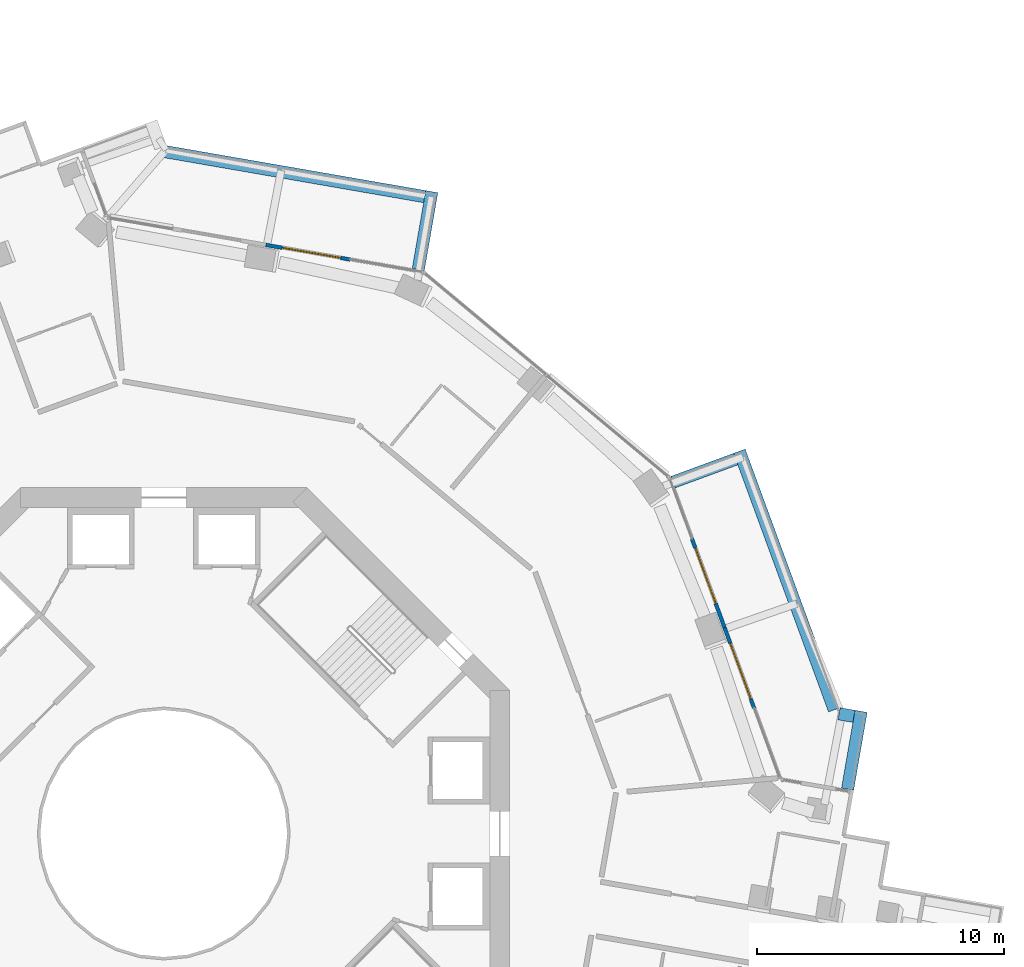
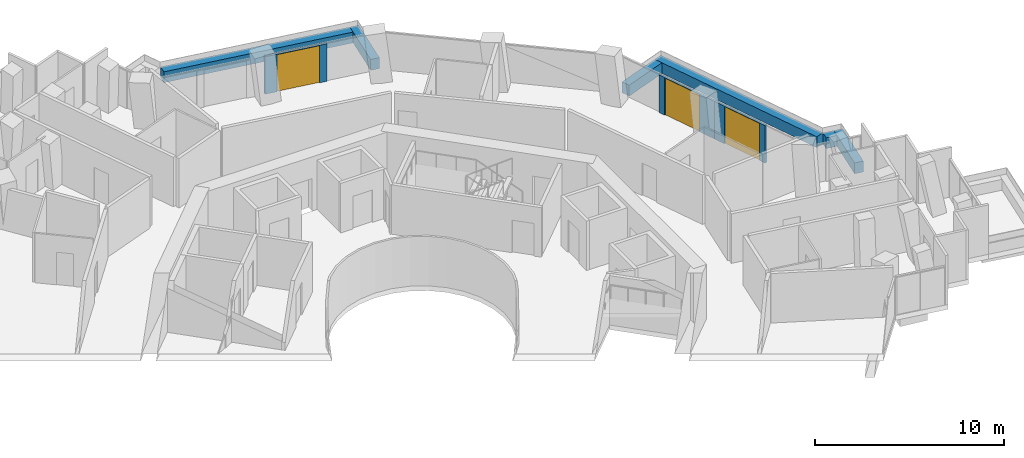
# One storey, part 21 of 24: 9 walls, 3 doors, 3 openings.
"""IFC4 building model written with IfcOpenShell, lengths in metres."""

from ifc_helpers import new_model, si_unit, direction, frame, frame_2d, origin, place, context, subcontext, project, spatial, rectangle, extrude, material, layer, layer_set, type_object, element, fill, save


model = new_model("IFC4")

# Units and contexts
model_context = context("Model", 3, precision=1e-05, world=origin(), true_north=direction((0.0, 1.0)))
body_context = subcontext(model_context, "Body", "Model", "MODEL_VIEW")
ifc_project = project(units=[si_unit("LENGTHUNIT", "METRE"), si_unit("AREAUNIT", "SQUARE_METRE"), si_unit("VOLUMEUNIT", "CUBIC_METRE"), si_unit("PLANEANGLEUNIT", "RADIAN"), si_unit("MASSUNIT", "GRAM", prefix="KILO")], contexts=[model_context])

# Site, building, storey
site_placement = place(None, origin())
site = spatial("IfcSite", under=ifc_project, at=site_placement, CompositionType="ELEMENT")
building_placement = place(site_placement, origin())
building = spatial("IfcBuilding", under=site, at=building_placement, Name="Verdalira Terraces Hotel", CompositionType="ELEMENT")
storey_placement = place(building_placement, frame((0.0, 0.0, 115.0)))
storey = spatial("IfcBuildingStorey", under=building, at=storey_placement, Name="L27", CompositionType="ELEMENT", Elevation=115.0)

# Walls
ifc_material_1 = material(Name="Concrete C40", Category="concrete")
ifc_layer_1 = layer(ifc_material_1, 0.5)
ifc_layer_set_1 = layer_set([ifc_layer_1], Name="Balcony planter trough with tree")
wall_type_1 = type_object("IfcWallType", Name="Balcony planter trough with tree", PredefinedType="SOLIDWALL", material=ifc_layer_set_1)
wall_1_placement = place(storey_placement, frame((27.681885, 1.796631, 0.0), z_axis=(0.0, 0.0, 1.0), x_axis=(0.170954665, 0.985278896, 0.0)))
element("IfcWall", 1, at=wall_1_placement, inside=storey, type_object=wall_type_1, Name="Balcony planter", PredefinedType="SOLIDWALL", context=body_context, shape_type="SweptSolid", body=[
    extrude(rectangle(XDim=3.198975, YDim=0.5, at=frame_2d((1.599609, 0.0))), origin(), (0.0, 0.0, 1.0), 0.699951),
])
wall_2_placement = place(storey_placement, frame((27.939697, 4.745117, 0.0), z_axis=(0.0, 0.0, 1.0), x_axis=(-0.985316969, 0.170735086, 0.0)))
element("IfcWall", 2, at=wall_2_placement, inside=storey, type_object=wall_type_1, Name="Balcony planter", PredefinedType="SOLIDWALL", context=body_context, shape_type="SweptSolid", body=[
    extrude(rectangle(XDim=0.612061, YDim=0.5, at=frame_2d((0.306152, 0.0))), origin(), (0.0, 0.0, 1.0), 0.699951),
])
wall_3_placement = place(storey_placement, frame((27.144775, 5.009766, 0.0), z_axis=(0.0, 0.0, 1.0), x_axis=(-0.344632839, 0.93873756, 0.0)))
element("IfcWall", 3, at=wall_3_placement, inside=storey, type_object=wall_type_1, Name="Balcony planter", PredefinedType="SOLIDWALL", context=body_context, shape_type="SweptSolid", body=[
    extrude(rectangle(XDim=11.152344, YDim=0.5, at=frame_2d((5.576172, 0.0))), origin(), (0.0, 0.0, 1.0), 0.699951),
])
wall_4_placement = place(storey_placement, frame((23.152588, 15.158203, 0.0), z_axis=(0.0, 0.0, 1.0), x_axis=(-0.93869784, -0.344741011, 0.0)))
element("IfcWall", 4, at=wall_4_placement, inside=storey, type_object=wall_type_1, Name="Balcony planter", PredefinedType="SOLIDWALL", context=body_context, shape_type="SweptSolid", body=[
    extrude(rectangle(XDim=2.698975, YDim=0.5, at=frame_2d((1.349609, 0.0))), origin(), (0.0, 0.0, 1.0), 0.699951),
])
wall_5_placement = place(storey_placement, frame((10.303955, 22.834229, 0.0), z_axis=(0.0, 0.0, 1.0), x_axis=(0.170867726, 0.985293977, 0.0)))
element("IfcWall", 5, at=wall_5_placement, inside=storey, type_object=wall_type_1, Name="Balcony planter", PredefinedType="SOLIDWALL", context=body_context, shape_type="SweptSolid", body=[
    extrude(rectangle(XDim=3.199219, YDim=0.5, at=frame_2d((1.599609, 0.0))), origin(), (0.0, 0.0, 1.0), 0.699951),
])
wall_6_placement = place(storey_placement, frame((10.561523, 25.782715, 0.0), z_axis=(0.0, 0.0, 1.0), x_axis=(-0.985287187, 0.170906875, 0.0)))
element("IfcWall", 6, at=wall_6_placement, inside=storey, type_object=wall_type_1, Name="Balcony planter", PredefinedType="SOLIDWALL", context=body_context, shape_type="SweptSolid", body=[
    extrude(rectangle(XDim=10.652344, YDim=0.5, at=frame_2d((5.326172, 0.0))), origin(), (0.0, 0.0, 1.0), 0.699951),
])

# Wall, opening, door
ifc_material_2 = material(Name="Terracotta cladding", Category="masonry")
ifc_layer_2 = layer(ifc_material_2, 0.14990234375)
ifc_layer_set_2 = layer_set([ifc_layer_2], Name="Terracotta door pier 150")
wall_type_2 = type_object("IfcWallType", Name="Terracotta door pier 150", PredefinedType="SOLIDWALL", material=ifc_layer_set_2)
wall_7_placement = place(storey_placement, frame((23.899414, 5.07251, 0.0), z_axis=(0.0, 0.0, 1.0), x_axis=(-0.344663339, 0.938726362, 0.0)))
wall_7 = element("IfcWall", 7, at=wall_7_placement, inside=storey, type_object=wall_type_2, Name="Terracotta door pier", PredefinedType="SOLIDWALL", context=body_context, shape_type="SweptSolid", body=[
    extrude(rectangle(XDim=3.475098, YDim=0.149902, at=frame_2d((1.737549, 0.0))), origin(), (0.0, 0.0, 1.0), 2.425049),
])
opening_1_placement = place(wall_7_placement, frame((0.399902, 0.0, 0.0)))
opening_1 = element("IfcOpeningElement", 8, at=opening_1_placement, cuts=wall_7, Name="Opening L27-B09", PredefinedType="OPENING", context=body_context, shape_type="SweptSolid", body=[
    extrude(rectangle(XDim=2.399902, YDim=2.399902, at=frame_2d((1.199951, 1.199951))), frame((0.0, 0.084961, 0.0), z_axis=(0.0, -1.0, 0.0), x_axis=(1.0, 0.0, 0.0)), (0.0, 0.0, 1.0), 0.169922),
])
ifc_material_3 = material(Name="Clear glass", Category="glass")
door_type = type_object("IfcDoorType", Name="Balcony sliding door 2400x2400", OperationType="NOTDEFINED", PredefinedType="DOOR", material=ifc_material_3)
door_1_placement = place(opening_1_placement, origin())
door_1 = element("IfcDoor", 9, at=door_1_placement, inside=storey, type_object=door_type, Name="Balcony sliding door", OperationType="SLIDING_TO_RIGHT", OverallHeight=2.39990234375, OverallWidth=2.39990234375, PredefinedType="DOOR", context=body_context, shape_type="SweptSolid", body=[
    extrude(rectangle(XDim=2.399902, YDim=2.399902, at=frame_2d((1.199951, 1.199951))), frame((0.0, 0.024902, 0.0), z_axis=(0.0, -1.0, 0.0), x_axis=(1.0, 0.0, 0.0)), (0.0, 0.0, 1.0), 0.050049),
])
fill(opening_1, door_1)

wall_8_placement = place(storey_placement, frame((22.70166, 8.334717, 0.0), z_axis=(0.0, 0.0, 1.0), x_axis=(-0.344634313, 0.938737019, 0.0)))
wall_8 = element("IfcWall", 10, at=wall_8_placement, inside=storey, type_object=wall_type_2, Name="Terracotta door pier", PredefinedType="SOLIDWALL", context=body_context, shape_type="SweptSolid", body=[
    extrude(rectangle(XDim=3.835205, YDim=0.149902, at=frame_2d((1.91748, 0.0))), origin(), (0.0, 0.0, 1.0), 2.425049),
])
opening_2_placement = place(wall_8_placement, frame((1.0354, 0.0, 0.0)))
opening_2 = element("IfcOpeningElement", 11, at=opening_2_placement, cuts=wall_8, Name="Opening L27-B10", PredefinedType="OPENING", context=body_context, shape_type="SweptSolid", body=[
    extrude(rectangle(XDim=2.399902, YDim=2.399902, at=frame_2d((1.199951, 1.199951))), frame((0.0, 0.084961, 0.0), z_axis=(0.0, -1.0, 0.0), x_axis=(1.0, 0.0, 0.0)), (0.0, 0.0, 1.0), 0.169922),
])
door_2_placement = place(opening_2_placement, origin())
door_2 = element("IfcDoor", 12, at=door_2_placement, inside=storey, type_object=door_type, Name="Balcony sliding door", OperationType="SLIDING_TO_LEFT", OverallHeight=2.39990234375, OverallWidth=2.39990234375, PredefinedType="DOOR", context=body_context, shape_type="SweptSolid", body=[
    extrude(rectangle(XDim=2.399902, YDim=2.399902, at=frame_2d((1.199951, 1.199951))), frame((0.0, 0.024902, 0.0), z_axis=(0.0, -1.0, 0.0), x_axis=(1.0, 0.0, 0.0)), (0.0, 0.0, 1.0), 0.050049),
])
fill(opening_2, door_2)

wall_9_placement = place(storey_placement, frame((7.556641, 23.233643, 0.0), z_axis=(0.0, 0.0, 1.0), x_axis=(-0.985282315, 0.170934959, 0.0)))
wall_9 = element("IfcWall", 13, at=wall_9_placement, inside=storey, type_object=wall_type_2, Name="Terracotta door pier", PredefinedType="SOLIDWALL", context=body_context, shape_type="SweptSolid", body=[
    extrude(rectangle(XDim=3.474854, YDim=0.149902, at=frame_2d((1.737305, 0.0))), origin(), (0.0, 0.0, 1.0), 2.425049),
])
opening_3_placement = place(wall_9_placement, frame((0.399902, 0.0, 0.0)))
opening_3 = element("IfcOpeningElement", 14, at=opening_3_placement, cuts=wall_9, Name="Opening L27-B11", PredefinedType="OPENING", context=body_context, shape_type="SweptSolid", body=[
    extrude(rectangle(XDim=2.399902, YDim=2.399902, at=frame_2d((1.199951, 1.199951))), frame((0.0, 0.084961, 0.0), z_axis=(0.0, -1.0, 0.0), x_axis=(1.0, 0.0, 0.0)), (0.0, 0.0, 1.0), 0.169922),
])
door_3_placement = place(opening_3_placement, origin())
door_3 = element("IfcDoor", 15, at=door_3_placement, inside=storey, type_object=door_type, Name="Balcony sliding door", OperationType="SLIDING_TO_RIGHT", OverallHeight=2.39990234375, OverallWidth=2.39990234375, PredefinedType="DOOR", context=body_context, shape_type="SweptSolid", body=[
    extrude(rectangle(XDim=2.399902, YDim=2.399902, at=frame_2d((1.199951, 1.199951))), frame((0.0, 0.024902, 0.0), z_axis=(0.0, -1.0, 0.0), x_axis=(1.0, 0.0, 0.0)), (0.0, 0.0, 1.0), 0.050049),
])
fill(opening_3, door_3)

save(model, "model.ifc")
